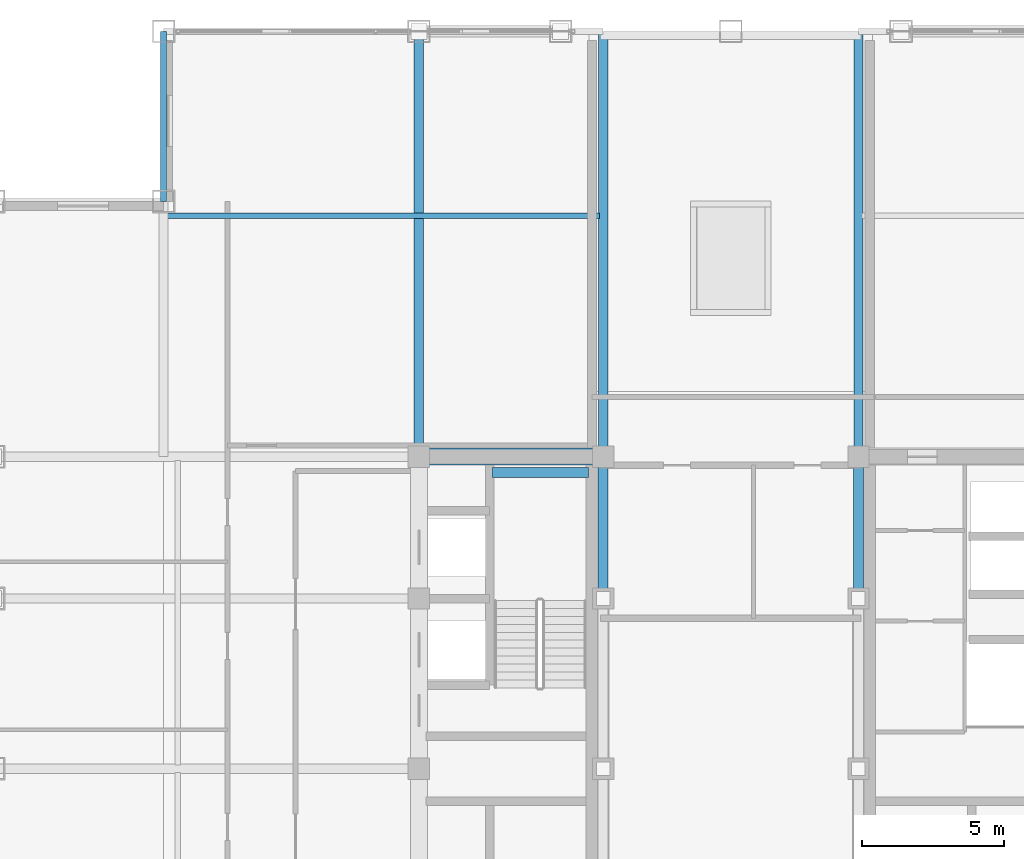
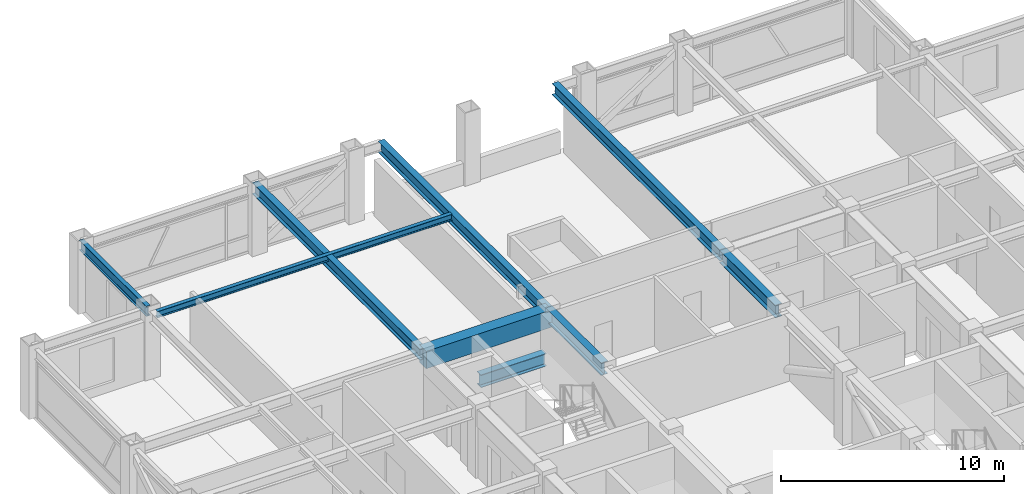
# One storey, part 18 of 29: 9 beams.
"""IFC4 building model written with IfcOpenShell, lengths in metres."""

from ifc_helpers import new_model, si_unit, direction, frame, origin, origin_2d, place, context, subcontext, project, spatial, rectangle, i_section, extrude, source, transform, mapped, material, material_profile, profile_set, type_object, element, save


model = new_model("IFC4")

# Units and contexts
model_context = context("Model", 3, precision=1e-05, world=origin(), true_north=direction((0.0, 1.0)))
body_context = subcontext(model_context, "Body", "Model", "MODEL_VIEW")
ifc_project = project(units=[si_unit("LENGTHUNIT", "METRE"), si_unit("AREAUNIT", "SQUARE_METRE"), si_unit("VOLUMEUNIT", "CUBIC_METRE"), si_unit("PLANEANGLEUNIT", "RADIAN"), si_unit("MASSUNIT", "GRAM", prefix="KILO")], contexts=[model_context])

# Site, building, storey
site_placement = place(None, origin())
site = spatial("IfcSite", under=ifc_project, at=site_placement, CompositionType="ELEMENT")
building_placement = place(site_placement, origin())
building = spatial("IfcBuilding", under=site, at=building_placement, Name="Khorayat Bourse Tower", CompositionType="ELEMENT")
storey_placement = place(building_placement, frame((0.0, 0.0, 346.300048828125)))
storey = spatial("IfcBuildingStorey", under=building, at=storey_placement, Name="L82", CompositionType="ELEMENT", Elevation=346.300048828125)

# Beams
ifc_material_1 = material(Name="Steel ASTM A992 Grade 50", Category="steel")
ifc_material_profile_1 = material_profile(ifc_material_1, i_section(OverallWidth=0.35498046875, OverallDepth=0.695068359375, WebThickness=0.015380859375, FlangeThickness=0.02490234375, FilletRadius=0.01806640625, at=origin_2d()), Name="W690X217")
ifc_profile_set_1 = profile_set([ifc_material_profile_1], Name="Steel ASTM A992 Grade 50")
beam_type_1 = type_object("IfcBeamType", Name="BM-GIRD-690", PredefinedType="BEAM", material=ifc_profile_set_1)
shared_shape_1 = source(origin(), body_context, "Body", "SweptSolid", [
    extrude(i_section(OverallWidth=0.35498046875, OverallDepth=0.695068359375, WebThickness=0.015380859375, FlangeThickness=0.02490234375, FilletRadius=0.01806640625, at=origin_2d()), origin(), (0.0, 0.0, 1.0), 5.0),
])
for number, where, z_axis, x_axis, name in (
    (1, (-4.5, 6.0, 3.392333984375), (0.0, 1.0, 0.0), (-1.0, 0.0, 0.0), "L82 BM-GIRD-690 BM-L82-CRX-08"),
    (2, (4.5, 6.0, 3.392333984375), (0.0, 1.0, 0.0), (-1.0, 0.0, 0.0), "L82 BM-GIRD-690 BM-L82-CRX-12"),
):
    element("IfcBeam", number, at=place(storey_placement, frame(where, z_axis=z_axis, x_axis=x_axis)), inside=storey, type_object=beam_type_1, Name=name, PredefinedType="BEAM", context=body_context, shape_type="MappedRepresentation", body=[
        mapped(shared_shape_1, transform((0.0, 0.0, 0.0), scale=1.0)),
    ])
shared_shape_2 = source(origin(), body_context, "Body", "SweptSolid", [
    extrude(i_section(OverallWidth=0.35498046875, OverallDepth=0.695068359375, WebThickness=0.015380859375, FlangeThickness=0.02490234375, FilletRadius=0.01806640625, at=origin_2d()), origin(), (0.0, 0.0, 1.0), 3.39990234375),
])
beam_1_placement = place(storey_placement, frame((-8.419921875, 10.449951171875, 1.452392578125), z_axis=(1.0, 0.0, 0.0), x_axis=(0.0, 1.0, 0.0)))
element("IfcBeam", 3, at=beam_1_placement, inside=storey, type_object=beam_type_1, Name="L82 BM-GIRD-690 BM-L82-ST2L", PredefinedType="BEAM", context=body_context, shape_type="MappedRepresentation", body=[
    mapped(shared_shape_2, transform((0.0, 0.0, 0.0), scale=1.0)),
])
ifc_material_2 = material(Name="Concrete C60/75", Category="concrete")
ifc_material_profile_2 = material_profile(ifc_material_2, rectangle(XDim=0.60009765625, YDim=0.949951171875, at=origin_2d()), Name="RC 600x950")
ifc_profile_set_2 = profile_set([ifc_material_profile_2], Name="Concrete C60/75")
beam_type_2 = type_object("IfcBeamType", Name="BM-COUP-950", PredefinedType="BEAM", material=ifc_profile_set_2)
shared_shape_3 = source(origin(), body_context, "Body", "SweptSolid", [
    extrude(rectangle(XDim=0.60009765625, YDim=0.949951171875, at=origin_2d()), origin(), (0.0, 0.0, 1.0), 6.5),
])
beam_2_placement = place(storey_placement, frame((-11.0, 11.0, 3.264892578125), z_axis=(1.0, 0.0, 0.0), x_axis=(0.0, 1.0, 0.0)))
element("IfcBeam", 4, at=beam_2_placement, inside=storey, type_object=beam_type_2, Name="L82 BM-COUP-950 BM-L82-CRY-19", PredefinedType="BEAM", context=body_context, shape_type="MappedRepresentation", body=[
    mapped(shared_shape_3, transform((0.0, 0.0, 0.0), scale=1.0)),
])
ifc_material_profile_3 = material_profile(ifc_material_1, i_section(OverallWidth=0.214111328125, OverallDepth=0.549072265625, WebThickness=0.0146484375, FlangeThickness=0.023681640625, FilletRadius=0.013916015625, at=origin_2d()), Name="W530X138")
ifc_profile_set_3 = profile_set([ifc_material_profile_3], Name="Steel ASTM A992 Grade 50")
beam_type_3 = type_object("IfcBeamType", Name="BM-SPAN-530", PredefinedType="SPANDREL", material=ifc_profile_set_3)
shared_shape_4 = source(origin(), body_context, "Body", "SweptSolid", [
    extrude(i_section(OverallWidth=0.214111328125, OverallDepth=0.549072265625, WebThickness=0.0146484375, FlangeThickness=0.023681640625, FilletRadius=0.013916015625, at=origin_2d()), origin(), (0.0, 0.0, 1.0), 6.0),
])
beam_3_placement = place(storey_placement, frame((-20.0, 20.0, 3.46533203125), z_axis=(0.0, 1.0, 0.0), x_axis=(-1.0, 0.0, 0.0)))
element("IfcBeam", 5, at=beam_3_placement, inside=storey, type_object=beam_type_3, Name="L82 BM-SPAN-530 BM-L82-SPN-043", PredefinedType="SPANDREL", context=body_context, shape_type="MappedRepresentation", body=[
    mapped(shared_shape_4, transform((0.0, 0.0, 0.0), scale=1.0)),
])
ifc_material_profile_4 = material_profile(ifc_material_1, i_section(OverallWidth=0.324951171875, OverallDepth=0.615966796875, WebThickness=0.013916015625, FlangeThickness=0.021484375, FilletRadius=0.01611328125, at=origin_2d()), Name="W610X174")
ifc_profile_set_4 = profile_set([ifc_material_profile_4], Name="Steel ASTM A992 Grade 50")
beam_type_4 = type_object("IfcBeamType", Name="BM-GIRD-610", PredefinedType="BEAM", material=ifc_profile_set_4)
shared_shape_5 = source(origin(), body_context, "Body", "SweptSolid", [
    extrude(i_section(OverallWidth=0.324951171875, OverallDepth=0.615966796875, WebThickness=0.013916015625, FlangeThickness=0.021484375, FilletRadius=0.01611328125, at=origin_2d()), origin(), (0.0, 0.0, 1.0), 15.0),
])
for number, where, z_axis, x_axis, name in (
    (6, (-11.0, 11.0, 3.431884765625), (0.0, 1.0, 0.0), (-1.0, 0.0, 0.0), "L82 BM-GIRD-610 BM-L82-RADY-053"),
    (7, (-4.5, 11.0, 3.431884765625), (0.0, 1.0, 0.0), (-1.0, 0.0, 0.0), "L82 BM-GIRD-610 BM-L82-RADY-055"),
    (8, (4.5, 11.0, 3.431884765625), (0.0, 1.0, 0.0), (-1.0, 0.0, 0.0), "L82 BM-GIRD-610 BM-L82-RADY-057"),
):
    element("IfcBeam", number, at=place(storey_placement, frame(where, z_axis=z_axis, x_axis=x_axis)), inside=storey, type_object=beam_type_4, Name=name, PredefinedType="BEAM", context=body_context, shape_type="MappedRepresentation", body=[
        mapped(shared_shape_5, transform((0.0, 0.0, 0.0), scale=1.0)),
    ])
ifc_material_profile_5 = material_profile(ifc_material_1, i_section(OverallWidth=0.202880859375, OverallDepth=0.346923828125, WebThickness=0.0078125, FlangeThickness=0.013427734375, FilletRadius=0.010009765625, at=origin_2d()), Name="W360X64")
ifc_profile_set_5 = profile_set([ifc_material_profile_5], Name="Steel ASTM A992 Grade 50")
beam_type_5 = type_object("IfcBeamType", Name="BM-JOIST-360", PredefinedType="JOIST", material=ifc_profile_set_5)
shared_shape_6 = source(origin(), body_context, "Body", "SweptSolid", [
    extrude(i_section(OverallWidth=0.202880859375, OverallDepth=0.346923828125, WebThickness=0.0078125, FlangeThickness=0.013427734375, FilletRadius=0.010009765625, at=origin_2d()), origin(), (0.0, 0.0, 1.0), 15.240234375),
])
beam_4_placement = place(storey_placement, frame((-19.8701171875, 19.5, 3.56640625), z_axis=(1.0, 0.0, 0.0), x_axis=(0.0, 1.0, 0.0)))
element("IfcBeam", 9, at=beam_4_placement, inside=storey, type_object=beam_type_5, Name="L82 BM-JOIST-360 BM-L82-JSTX-077", PredefinedType="JOIST", context=body_context, shape_type="MappedRepresentation", body=[
    mapped(shared_shape_6, transform((0.0, 0.0, 0.0), scale=1.0)),
])

save(model, "model.ifc")
